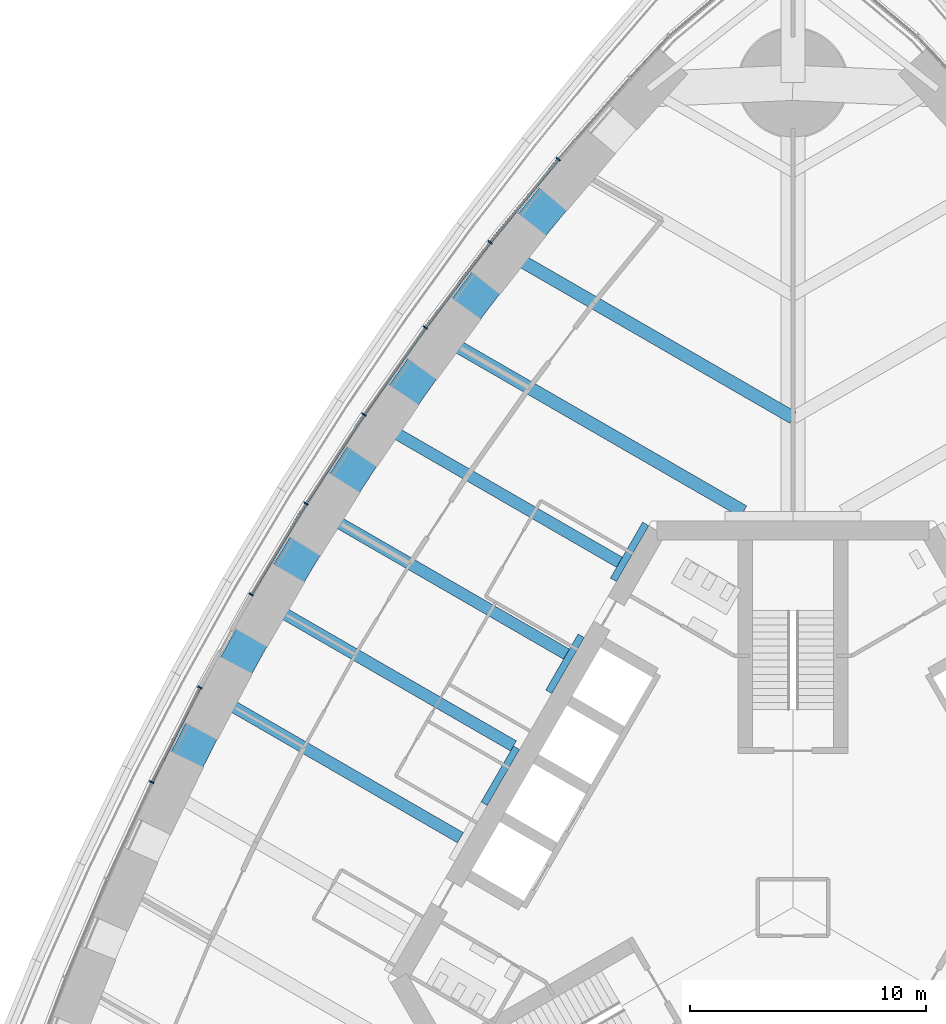
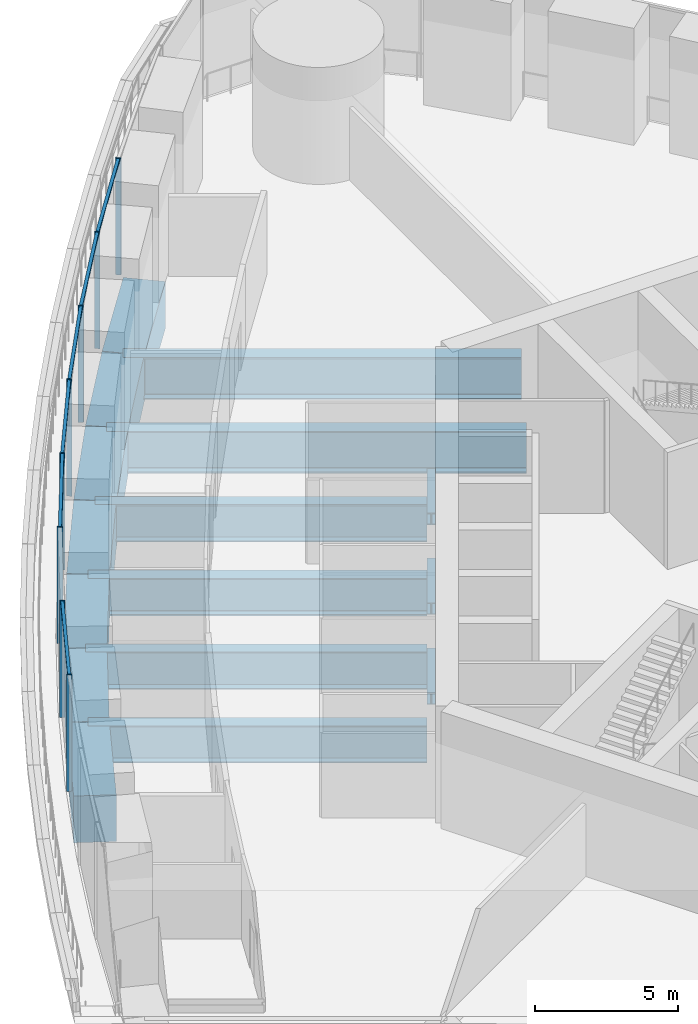
# One storey, part 6 of 33: 16 beams, 14 members, 2 elements without a shape of their own.
"""IFC4 building model written with IfcOpenShell, lengths in metres."""

from ifc_helpers import new_model, si_unit, direction, frame, origin, origin_2d, place, context, subcontext, project, spatial, rectangle, i_section, extrude, material, material_profile, profile_set, type_object, element, aggregate, save


model = new_model("IFC4")

# Units and contexts
model_context = context("Model", 3, precision=1e-05, world=origin(), true_north=direction((0.0, 1.0)))
body_context = subcontext(model_context, "Body", "Model", "MODEL_VIEW")
ifc_project = project(units=[si_unit("LENGTHUNIT", "METRE"), si_unit("AREAUNIT", "SQUARE_METRE"), si_unit("VOLUMEUNIT", "CUBIC_METRE"), si_unit("PLANEANGLEUNIT", "RADIAN"), si_unit("MASSUNIT", "GRAM", prefix="KILO")], contexts=[model_context])

# Site, building, storey
site_placement = place(None, origin())
site = spatial("IfcSite", under=ifc_project, at=site_placement, CompositionType="ELEMENT")
building_placement = place(site_placement, origin())
building = spatial("IfcBuilding", under=site, at=building_placement, Name="Trefoil Bronze Tower", CompositionType="ELEMENT")
storey_placement = place(building_placement, frame((0.0, 0.0, 98.10009765625)))
storey = spatial("IfcBuildingStorey", under=building, at=storey_placement, Name="L22", CompositionType="ELEMENT", Elevation=98.10009765625)

# Curtain wall, members
ifc_material_1 = material(Name="Tinted solar-control glass", Category="glass")
curtain_wall_type = type_object("IfcCurtainWallType", Name="Bronze sky lobby curtain wall", PredefinedType="USERDEFINED", material=ifc_material_1)
curtain_wall_1_placement = place(storey_placement, origin())
curtain_wall_1 = element("IfcCurtainWall", 1, at=curtain_wall_1_placement, inside=storey, type_object=curtain_wall_type, Name="CW-D L22 F3 run 1", ObjectType="CURTAIN WALL", PredefinedType="USERDEFINED")
ifc_material_2 = material(Name="Bronze-finish aluminium", Category="aluminium")
ifc_material_profile_1 = material_profile(ifc_material_2, rectangle(XDim=0.199951171875, YDim=0.06005859375, at=origin_2d()), Name="CW-D mullion")
ifc_profile_set_1 = profile_set([ifc_material_profile_1], Name="Bronze-finish aluminium")
member_type_1 = type_object("IfcMemberType", Name="Bronze sky lobby curtain wall mullion", PredefinedType="MULLION", material=ifc_profile_set_1)
member_1_placement = place(storey_placement, frame((-9.96240234375, 31.75341796875, 0.0), z_axis=(0.0, 0.0, 1.0), x_axis=(0.761721651066, -0.647904411389, 0.0)))
member_1 = element("IfcMember", 2, at=member_1_placement, type_object=member_type_1, Name="CW-D L22 F3 run 1 mullion 3", PredefinedType="MULLION", context=body_context, shape_type="SweptSolid", body=[
    extrude(rectangle(XDim=0.199951171875, YDim=0.06005859375, at=origin_2d()), origin(), (0.0, 0.0, 1.0), 4.97998046875),
])
member_2_placement = place(storey_placement, frame((-12.855224609375, 28.22314453125, 0.0), z_axis=(0.0, 0.0, 1.0), x_axis=(0.78487913905, -0.619648882098, 0.0)))
member_2 = element("IfcMember", 3, at=member_2_placement, type_object=member_type_1, Name="CW-D L22 F3 run 1 mullion 4", PredefinedType="MULLION", context=body_context, shape_type="SweptSolid", body=[
    extrude(rectangle(XDim=0.199951171875, YDim=0.06005859375, at=origin_2d()), origin(), (0.0, 0.0, 1.0), 4.97998046875),
])
member_3_placement = place(storey_placement, frame((-15.60302734375, 24.609375, 0.0), z_axis=(0.0, 0.0, 1.0), x_axis=(0.806874522901, -0.590722865897, 0.0)))
member_3 = element("IfcMember", 4, at=member_3_placement, type_object=member_type_1, Name="CW-D L22 F3 run 1 mullion 5", PredefinedType="MULLION", context=body_context, shape_type="SweptSolid", body=[
    extrude(rectangle(XDim=0.199951171875, YDim=0.06005859375, at=origin_2d()), origin(), (0.0, 0.0, 1.0), 4.97998046875),
])
member_4_placement = place(storey_placement, frame((-18.20751953125, 20.912841796875, 0.0), z_axis=(0.0, 0.0, 1.0), x_axis=(0.827723925749, -0.561135547566, 0.0)))
member_4 = element("IfcMember", 5, at=member_4_placement, type_object=member_type_1, Name="CW-D L22 F3 run 1 mullion 6", PredefinedType="MULLION", context=body_context, shape_type="SweptSolid", body=[
    extrude(rectangle(XDim=0.199951171875, YDim=0.06005859375, at=origin_2d()), origin(), (0.0, 0.0, 1.0), 4.97998046875),
])
member_5_placement = place(storey_placement, frame((-20.670654296875, 17.134521484375, 0.0), z_axis=(0.0, 0.0, 1.0), x_axis=(0.84743864936, -0.530893337283, 0.0)))
member_5 = element("IfcMember", 6, at=member_5_placement, type_object=member_type_1, Name="CW-D L22 F3 run 1 mullion 7", PredefinedType="MULLION", context=body_context, shape_type="SweptSolid", body=[
    extrude(rectangle(XDim=0.199951171875, YDim=0.06005859375, at=origin_2d()), origin(), (0.0, 0.0, 1.0), 4.97998046875),
])
member_6_placement = place(storey_placement, frame((-22.99169921875, 13.2763671875, 0.0), z_axis=(0.0, 0.0, 1.0), x_axis=(0.856874289526, -0.515525413486, 0.0)))
member_6 = element("IfcMember", 7, at=member_6_placement, type_object=member_type_1, Name="CW-D L22 F3 run 1 mullion 8", PredefinedType="MULLION", context=body_context, shape_type="SweptSolid", body=[
    extrude(rectangle(XDim=0.199951171875, YDim=0.06005859375, at=origin_2d()), origin(), (0.0, 0.0, 1.0), 4.97998046875),
])

curtain_wall_2_placement = place(storey_placement, origin())
curtain_wall_2 = element("IfcCurtainWall", 8, at=curtain_wall_2_placement, inside=storey, type_object=curtain_wall_type, Name="CW-D L22 F3 run 3", ObjectType="CURTAIN WALL", PredefinedType="USERDEFINED")
member_7_placement = place(storey_placement, frame((-25.175048828125, 9.33251953125, 0.0), z_axis=(0.0, 0.0, 1.0), x_axis=(0.891790320128, -0.452448919686, 0.0)))
member_7 = element("IfcMember", 9, at=member_7_placement, type_object=member_type_1, Name="CW-D L22 F3 run 3 mullion 1", PredefinedType="MULLION", context=body_context, shape_type="SweptSolid", body=[
    extrude(rectangle(XDim=0.199951171875, YDim=0.06005859375, at=origin_2d()), origin(), (0.0, 0.0, 1.0), 4.97998046875),
])
member_8_placement = place(storey_placement, frame((-27.21484375, 5.311767578125, 0.0), z_axis=(0.0, 0.0, 1.0), x_axis=(0.899819602033, -0.436262173236, 0.0)))
member_8 = element("IfcMember", 10, at=member_8_placement, type_object=member_type_1, Name="CW-D L22 F3 run 3 mullion 2", PredefinedType="MULLION", context=body_context, shape_type="SweptSolid", body=[
    extrude(rectangle(XDim=0.199951171875, YDim=0.06005859375, at=origin_2d()), origin(), (0.0, 0.0, 1.0), 4.97998046875),
])

# Member
ifc_material_3 = material(Name="Bronze-finish aluminium", Category="aluminium")
ifc_material_profile_2 = material_profile(ifc_material_3, rectangle(XDim=0.1201171875, YDim=0.10009765625, at=origin_2d()), Name="CW-D transom")
ifc_profile_set_2 = profile_set([ifc_material_profile_2], Name="Bronze-finish aluminium")
member_type_2 = type_object("IfcMemberType", Name="Bronze sky lobby curtain wall transom", PredefinedType="USERDEFINED", material=ifc_profile_set_2)
member_9_placement = place(storey_placement, frame((-9.982421875, 31.728759765625, 4.929931640625), z_axis=(-0.633834330699, -0.773468836623, 0.0), x_axis=(0.773468836623, -0.633834330699, 0.0)))
member_9 = element("IfcMember", 11, at=member_9_placement, type_object=member_type_2, Name="CW-D L22 F3 run 1 transom 3", ObjectType="TRANSOM", PredefinedType="USERDEFINED", context=body_context, shape_type="SweptSolid", body=[
    extrude(rectangle(XDim=0.1201171875, YDim=0.10009765625, at=origin_2d()), origin(), (0.0, 0.0, 1.0), 4.50048828125),
])

member_10_placement = place(storey_placement, frame((-12.87451171875, 28.197998046875, 4.929931640625), z_axis=(-0.605249202755, -0.79603605607, 0.0), x_axis=(0.79603605607, -0.605249202755, 0.0)))
member_10 = element("IfcMember", 12, at=member_10_placement, type_object=member_type_2, Name="CW-D L22 F3 run 1 transom 4", ObjectType="TRANSOM", PredefinedType="USERDEFINED", context=body_context, shape_type="SweptSolid", body=[
    extrude(rectangle(XDim=0.1201171875, YDim=0.10009765625, at=origin_2d()), origin(), (0.0, 0.0, 1.0), 4.476318359375),
])

member_11_placement = place(storey_placement, frame((-15.621337890625, 24.583251953125, 4.929931640625), z_axis=(-0.575973493375, -0.817468369376, 0.0), x_axis=(0.817468369376, -0.575973493375, 0.0)))
member_11 = element("IfcMember", 13, at=member_11_placement, type_object=member_type_2, Name="CW-D L22 F3 run 1 transom 5", ObjectType="TRANSOM", PredefinedType="USERDEFINED", context=body_context, shape_type="SweptSolid", body=[
    extrude(rectangle(XDim=0.1201171875, YDim=0.10009765625, at=origin_2d()), origin(), (0.0, 0.0, 1.0), 4.458251953125),
])

member_12_placement = place(storey_placement, frame((-18.22509765625, 20.88623046875, 4.929931640625), z_axis=(-0.546080188599, -0.837732909476, 0.0), x_axis=(0.837732909476, -0.546080188599, 0.0)))
member_12 = element("IfcMember", 14, at=member_12_placement, type_object=member_type_2, Name="CW-D L22 F3 run 1 transom 6", ObjectType="TRANSOM", PredefinedType="USERDEFINED", context=body_context, shape_type="SweptSolid", body=[
    extrude(rectangle(XDim=0.1201171875, YDim=0.10009765625, at=origin_2d()), origin(), (0.0, 0.0, 1.0), 4.446533203125),
])

member_13_placement = place(storey_placement, frame((-20.68701171875, 17.107177734375, 4.929931640625), z_axis=(-0.515522168559, -0.856876241779, 0.0), x_axis=(0.856876241779, -0.515522168559, 0.0)))
member_13 = element("IfcMember", 15, at=member_13_placement, type_object=member_type_2, Name="CW-D L22 F3 run 1 transom 7", ObjectType="TRANSOM", PredefinedType="USERDEFINED", context=body_context, shape_type="SweptSolid", body=[
    extrude(rectangle(XDim=0.1201171875, YDim=0.10009765625, at=origin_2d()), origin(), (0.0, 0.0, 1.0), 4.440673828125),
])

aggregate(curtain_wall_1, [member_1, member_2, member_3, member_4, member_5, member_6, member_9, member_10, member_11, member_12, member_13])

member_14_placement = place(storey_placement, frame((-25.188720703125, 9.3056640625, 4.929931640625), z_axis=(-0.452433098104, -0.891798347016, 0.0), x_axis=(0.891798347016, -0.452433098104, 0.0)))
member_14 = element("IfcMember", 16, at=member_14_placement, type_object=member_type_2, Name="CW-D L22 F3 run 3 transom 1", ObjectType="TRANSOM", PredefinedType="USERDEFINED", context=body_context, shape_type="SweptSolid", body=[
    extrude(rectangle(XDim=0.1201171875, YDim=0.10009765625, at=origin_2d()), origin(), (0.0, 0.0, 1.0), 4.446533203125),
])

aggregate(curtain_wall_2, [member_7, member_8, member_14])

# Beams
ifc_material_4 = material(Name="Steel C355", Category="steel")
ifc_material_profile_3 = material_profile(ifc_material_4, i_section(OverallWidth=0.300048828125, OverallDepth=0.5, WebThickness=0.014404296875, FlangeThickness=0.028076171875, FilletRadius=0.027099609375, at=origin_2d()), Name="HEB 500")
ifc_profile_set_3 = profile_set([ifc_material_profile_3], Name="Steel C355")
beam_type_1 = type_object("IfcBeamType", Name="Core seat beam HEB 500", PredefinedType="BEAM", material=ifc_profile_set_3)
for number, where, z_axis, x_axis, name in (
    (17, (-6.249755859375, 16.27490234375, -0.4501953125), (-0.500035825175, -0.866004719122, 0.0), (0.866004719122, -0.500035825175, 0.0), "Core seat beam F3/-2 L22"),
    (18, (-8.9921875, 11.52490234375, -0.4501953125), (-0.500035825175, -0.866004719122, 0.0), (0.866004719122, -0.500035825175, 0.0), "Core seat beam F3/-1 L22"),
    (19, (-11.734619140625, 6.77490234375, -0.4501953125), (-0.500035825175, -0.866004719122, 0.0), (0.866004719122, -0.500035825175, 0.0), "Core seat beam F3/+0 L22"),
):
    element("IfcBeam", number, at=place(storey_placement, frame(where, z_axis=z_axis, x_axis=x_axis)), inside=storey, type_object=beam_type_1, Name=name, PredefinedType="BEAM", context=body_context, shape_type="SweptSolid", body=[
        extrude(i_section(OverallWidth=0.300048828125, OverallDepth=0.5, WebThickness=0.014404296875, FlangeThickness=0.028076171875, FilletRadius=0.027099609375, at=origin_2d()), origin(), (0.0, 0.0, 1.0), 2.742431640625),
    ])
ifc_material_5 = material(Name="Steel C355", Category="steel")
ifc_material_profile_4 = material_profile(ifc_material_5, i_section(OverallWidth=0.5, OverallDepth=1.60009765625, WebThickness=0.02587890625, FlangeThickness=0.050048828125, FilletRadius=0.011962890625, at=origin_2d()), Name="WPG 1600")
ifc_profile_set_4 = profile_set([ifc_material_profile_4], Name="Steel C355")
beam_type_2 = type_object("IfcBeamType", Name="Floor beam WPG 1600", PredefinedType="BEAM", material=ifc_profile_set_4)
beam_1_placement = place(storey_placement, frame((-17.43017578125, 20.45556640625, -1.0), z_axis=(0.866030626868, -0.499990953245, 0.0), x_axis=(0.499990953245, 0.866030626868, 0.0)))
element("IfcBeam", 20, at=beam_1_placement, inside=storey, type_object=beam_type_2, Name="Floor beam F3/-2 L22", PredefinedType="BEAM", context=body_context, shape_type="SweptSolid", body=[
    extrude(i_section(OverallWidth=0.5, OverallDepth=1.60009765625, WebThickness=0.02587890625, FlangeThickness=0.050048828125, FilletRadius=0.011962890625, at=origin_2d()), origin(), (0.0, 0.0, 1.0), 11.622802734375),
])
beam_2_placement = place(storey_placement, frame((-19.892578125, 16.68115234375, -1.0), z_axis=(0.866024236736, -0.500002021381, 0.0), x_axis=(0.500002021381, 0.866024236736, 0.0)))
element("IfcBeam", 21, at=beam_2_placement, inside=storey, type_object=beam_type_2, Name="Floor beam F3/-1 L22", PredefinedType="BEAM", context=body_context, shape_type="SweptSolid", body=[
    extrude(i_section(OverallWidth=0.5, OverallDepth=1.60009765625, WebThickness=0.02587890625, FlangeThickness=0.050048828125, FilletRadius=0.011962890625, at=origin_2d()), origin(), (0.0, 0.0, 1.0), 11.8681640625),
])
beam_3_placement = place(storey_placement, frame((-22.21337890625, 12.824951171875, -1.0), z_axis=(0.866028062731, -0.499995394541, 0.0), x_axis=(0.499995394541, 0.866028062731, 0.0)))
element("IfcBeam", 22, at=beam_3_placement, inside=storey, type_object=beam_type_2, Name="Floor beam F3/+0 L22", PredefinedType="BEAM", context=body_context, shape_type="SweptSolid", body=[
    extrude(i_section(OverallWidth=0.5, OverallDepth=1.60009765625, WebThickness=0.02587890625, FlangeThickness=0.050048828125, FilletRadius=0.011962890625, at=origin_2d()), origin(), (0.0, 0.0, 1.0), 11.94970703125),
])
beam_4_placement = place(storey_placement, frame((-24.392578125, 8.886962890625, -1.0), z_axis=(0.866024236736, -0.500002021381, 0.0), x_axis=(0.500002021381, 0.866024236736, 0.0)))
element("IfcBeam", 23, at=beam_4_placement, inside=storey, type_object=beam_type_2, Name="Floor beam F3/+1 L22", PredefinedType="BEAM", context=body_context, shape_type="SweptSolid", body=[
    extrude(i_section(OverallWidth=0.5, OverallDepth=1.60009765625, WebThickness=0.02587890625, FlangeThickness=0.050048828125, FilletRadius=0.011962890625, at=origin_2d()), origin(), (0.0, 0.0, 1.0), 11.8681640625),
])
ifc_material_6 = material(Name="Steel C355", Category="steel")
ifc_material_profile_5 = material_profile(ifc_material_6, i_section(OverallWidth=0.550048828125, OverallDepth=1.800048828125, WebThickness=0.029052734375, FlangeThickness=0.054931640625, FilletRadius=0.013916015625, at=origin_2d()), Name="WPG 1800")
ifc_profile_set_5 = profile_set([ifc_material_profile_5], Name="Steel C355")
beam_type_3 = type_object("IfcBeamType", Name="Floor beam WPG 1800", PredefinedType="BEAM", material=ifc_profile_set_5)
beam_5_placement = place(storey_placement, frame((-12.07666015625, 27.757080078125, -1.10009765625), z_axis=(0.866026983775, -0.499997263366, 0.0), x_axis=(0.499997263366, 0.866026983775, 0.0)))
element("IfcBeam", 24, at=beam_5_placement, inside=storey, type_object=beam_type_3, Name="Floor beam F3/-4 L22", PredefinedType="BEAM", context=body_context, shape_type="SweptSolid", body=[
    extrude(i_section(OverallWidth=0.550048828125, OverallDepth=1.800048828125, WebThickness=0.029052734375, FlangeThickness=0.054931640625, FilletRadius=0.013916015625, at=origin_2d()), origin(), (0.0, 0.0, 1.0), 13.94482421875),
])
beam_6_placement = place(storey_placement, frame((-14.825439453125, 24.14794921875, -1.10009765625), z_axis=(0.866027342682, -0.499996641717, 0.0), x_axis=(0.499996641717, 0.866027342682, 0.0)))
element("IfcBeam", 25, at=beam_6_placement, inside=storey, type_object=beam_type_3, Name="Floor beam F3/-3 L22", PredefinedType="BEAM", context=body_context, shape_type="SweptSolid", body=[
    extrude(i_section(OverallWidth=0.550048828125, OverallDepth=1.800048828125, WebThickness=0.029052734375, FlangeThickness=0.054931640625, FilletRadius=0.013916015625, at=origin_2d()), origin(), (0.0, 0.0, 1.0), 14.69580078125),
])
ifc_material_7 = material(Name="Concrete B80", Category="concrete")
ifc_material_profile_6 = material_profile(ifc_material_7, rectangle(XDim=1.5, YDim=2.0, at=origin_2d()), Name="RC 1500x2000")
ifc_profile_set_6 = profile_set([ifc_material_profile_6], Name="Concrete B80")
beam_type_4 = type_object("IfcBeamType", Name="Spandrel beam RC 1500x2000", PredefinedType="SPANDREL", material=ifc_profile_set_6)
beam_7_placement = place(storey_placement, frame((-9.181884765625, 31.281982421875, -1.2001953125), z_axis=(-0.634650386838, -0.772799383079, 0.0), x_axis=(0.772799383079, -0.634650386838, 0.0)))
element("IfcBeam", 26, at=beam_7_placement, inside=storey, type_object=beam_type_4, Name="Spandrel F3.3 L22", PredefinedType="SPANDREL", context=body_context, shape_type="SweptSolid", body=[
    extrude(rectangle(XDim=1.5, YDim=2.0, at=origin_2d()), origin(), (0.0, 0.0, 1.0), 4.561279296875),
])
beam_8_placement = place(storey_placement, frame((-12.07666015625, 27.757080078125, -1.2001953125), z_axis=(-0.605898901788, -0.795541652468, 0.0), x_axis=(0.795541652468, -0.605898901788, 0.0)))
element("IfcBeam", 27, at=beam_8_placement, inside=storey, type_object=beam_type_4, Name="Spandrel F3.4 L22", PredefinedType="SPANDREL", context=body_context, shape_type="SweptSolid", body=[
    extrude(rectangle(XDim=1.5, YDim=2.0, at=origin_2d()), origin(), (0.0, 0.0, 1.0), 4.53662109375),
])
beam_9_placement = place(storey_placement, frame((-14.825439453125, 24.14794921875, -1.2001953125), z_axis=(-0.576439228712, -0.81714002203, 0.0), x_axis=(0.81714002203, -0.576439228712, 0.0)))
element("IfcBeam", 28, at=beam_9_placement, inside=storey, type_object=beam_type_4, Name="Spandrel F3.5 L22", PredefinedType="SPANDREL", context=body_context, shape_type="SweptSolid", body=[
    extrude(rectangle(XDim=1.5, YDim=2.0, at=origin_2d()), origin(), (0.0, 0.0, 1.0), 4.5185546875),
])
beam_10_placement = place(storey_placement, frame((-17.43017578125, 20.45556640625, -1.2001953125), z_axis=(-0.546396670296, -0.83752652417, 0.0), x_axis=(0.83752652417, -0.546396670296, 0.0)))
element("IfcBeam", 29, at=beam_10_placement, inside=storey, type_object=beam_type_4, Name="Spandrel F3.6 L22", PredefinedType="SPANDREL", context=body_context, shape_type="SweptSolid", body=[
    extrude(rectangle(XDim=1.5, YDim=2.0, at=origin_2d()), origin(), (0.0, 0.0, 1.0), 4.506591796875),
])
for number, where, z_axis, x_axis, name in (
    (30, (-19.892578125, 16.68115234375, -1.2001953125), (-0.515651979972, -0.856798129988, 0.0), (0.856798129988, -0.515651979972, 0.0), "Spandrel F3.7 L22"),
    (31, (-22.21337890625, 12.824951171875, -1.2001953125), (-0.484186866546, -0.874964615436, 0.0), (0.874964615436, -0.484186866546, 0.0), "Spandrel F3.8 L22"),
):
    element("IfcBeam", number, at=place(storey_placement, frame(where, z_axis=z_axis, x_axis=x_axis)), inside=storey, type_object=beam_type_4, Name=name, PredefinedType="SPANDREL", context=body_context, shape_type="SweptSolid", body=[
        extrude(rectangle(XDim=1.5, YDim=2.0, at=origin_2d()), origin(), (0.0, 0.0, 1.0), 4.500732421875),
    ])
beam_11_placement = place(storey_placement, frame((-24.392578125, 8.886962890625, -1.2001953125), z_axis=(-0.452125717735, -0.891954222683, 0.0), x_axis=(0.891954222683, -0.452125717735, 0.0)))
element("IfcBeam", 32, at=beam_11_placement, inside=storey, type_object=beam_type_4, Name="Spandrel F3.9 L22", PredefinedType="SPANDREL", context=body_context, shape_type="SweptSolid", body=[
    extrude(rectangle(XDim=1.5, YDim=2.0, at=origin_2d()), origin(), (0.0, 0.0, 1.0), 4.506591796875),
])

save(model, "model.ifc")
